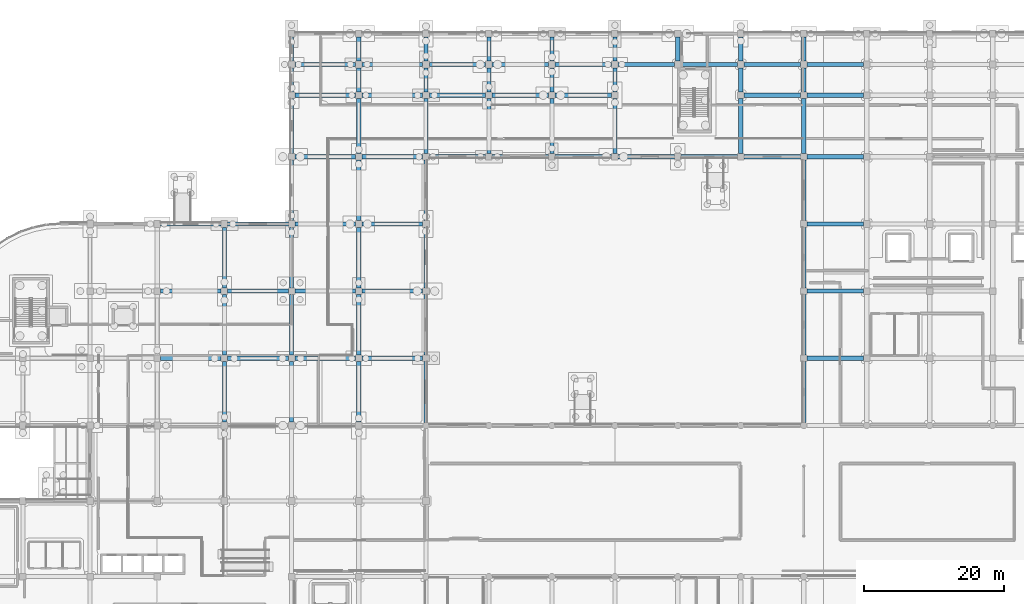
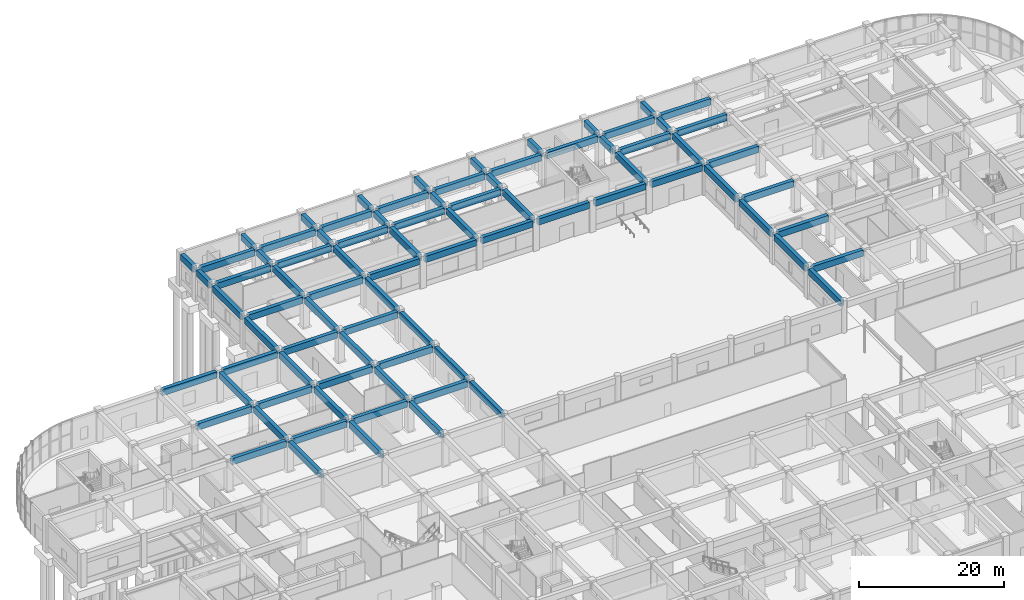
# One storey, part 15 of 74: 84 beams.
"""IFC4 building model written with IfcOpenShell, lengths in metres."""

from ifc_helpers import new_model, si_unit, direction, frame, origin, origin_2d, place, context, subcontext, project, spatial, rectangle, extrude, material, material_profile, profile_set, type_object, element, save


model = new_model("IFC4")

# Units and contexts
model_context = context("Model", 3, precision=1e-05, world=origin(), true_north=direction((0.0, 1.0)))
body_context = subcontext(model_context, "Body", "Model", "MODEL_VIEW")
ifc_project = project(units=[si_unit("LENGTHUNIT", "METRE"), si_unit("AREAUNIT", "SQUARE_METRE"), si_unit("VOLUMEUNIT", "CUBIC_METRE"), si_unit("PLANEANGLEUNIT", "RADIAN"), si_unit("MASSUNIT", "GRAM", prefix="KILO")], contexts=[model_context])

# Site, building, storey
site_placement = place(None, origin())
site = spatial("IfcSite", under=ifc_project, at=site_placement, CompositionType="ELEMENT")
building_placement = place(site_placement, origin())
building = spatial("IfcBuilding", under=site, at=building_placement, Name="Cendralis Terraced Arcade", CompositionType="ELEMENT")
storey_placement = place(building_placement, origin())
storey = spatial("IfcBuildingStorey", under=building, at=storey_placement, Name="L00", CompositionType="ELEMENT", Elevation=0.0)

# Beams
ifc_material = material(Name="Concrete f'c 35 MPa", Category="concrete")
ifc_material_profile = material_profile(ifc_material, rectangle(XDim=0.60009765625, YDim=1.050048828125, at=origin_2d()), Name="RC-BM-600x1050", Category="LoadBearing")
ifc_profile_set = profile_set([ifc_material_profile], Name="Concrete f'c 35 MPa")
beam_type = type_object("IfcBeamType", Name="BM-600x1050", PredefinedType="JOIST", material=ifc_profile_set)
beam_1_placement = place(storey_placement, frame((29.27490234375, 69.60009765625, 4.56494140625), z_axis=(1.0, 0.0, 0.0), x_axis=(0.0, 1.0, 0.0)))
element("IfcBeam", 1, at=beam_1_placement, inside=storey, type_object=beam_type, Name="Reinforced Concrete Frame Beam BM-X-L01-H-4_5", PredefinedType="JOIST", context=body_context, shape_type="SweptSolid", body=[
    extrude(rectangle(XDim=0.60009765625, YDim=1.050048828125, at=origin_2d()), origin(), (0.0, 0.0, 1.0), 8.650146484375),
])
for number, where, z_axis, x_axis, name in (
    (2, (38.875, 69.60009765625, 4.56494140625), (1.0, 0.0, 0.0), (0.0, 1.0, 0.0), "Reinforced Concrete Frame Beam BM-X-L01-H-5_6"),
    (3, (48.47509765625, 69.60009765625, 4.56494140625), (1.0, 0.0, 0.0), (0.0, 1.0, 0.0), "Reinforced Concrete Frame Beam BM-X-L01-H-6_7"),
):
    element("IfcBeam", number, at=place(storey_placement, frame(where, z_axis=z_axis, x_axis=x_axis)), inside=storey, type_object=beam_type, Name=name, PredefinedType="JOIST", context=body_context, shape_type="SweptSolid", body=[
        extrude(rectangle(XDim=0.60009765625, YDim=1.050048828125, at=origin_2d()), origin(), (0.0, 0.0, 1.0), 8.64990234375),
    ])
beam_2_placement = place(storey_placement, frame((58.074951171875, 69.60009765625, 4.56494140625), z_axis=(1.0, 0.0, 0.0), x_axis=(0.0, 1.0, 0.0)))
element("IfcBeam", 4, at=beam_2_placement, inside=storey, type_object=beam_type, Name="Reinforced Concrete Frame Beam BM-X-L01-H-7_8", PredefinedType="JOIST", context=body_context, shape_type="SweptSolid", body=[
    extrude(rectangle(XDim=0.60009765625, YDim=1.050048828125, at=origin_2d()), origin(), (0.0, 0.0, 1.0), 8.650146484375),
])
beam_3_placement = place(storey_placement, frame((121.675048828125, 69.60009765625, 4.56494140625), z_axis=(1.0, 0.0, 0.0), x_axis=(0.0, 1.0, 0.0)))
element("IfcBeam", 5, at=beam_3_placement, inside=storey, type_object=beam_type, Name="Reinforced Concrete Frame Beam BM-X-L01-H-14_15", PredefinedType="JOIST", context=body_context, shape_type="SweptSolid", body=[
    extrude(rectangle(XDim=0.60009765625, YDim=1.050048828125, at=origin_2d()), origin(), (0.0, 0.0, 1.0), 8.050048828125),
])
beam_4_placement = place(storey_placement, frame((29.27490234375, 79.199951171875, 4.56494140625), z_axis=(1.0, 0.0, 0.0), x_axis=(0.0, 1.0, 0.0)))
element("IfcBeam", 6, at=beam_4_placement, inside=storey, type_object=beam_type, Name="Reinforced Concrete Frame Beam BM-X-L01-J-4_5", PredefinedType="JOIST", context=body_context, shape_type="SweptSolid", body=[
    extrude(rectangle(XDim=0.60009765625, YDim=1.050048828125, at=origin_2d()), origin(), (0.0, 0.0, 1.0), 8.650146484375),
])
for number, where, z_axis, x_axis, name in (
    (7, (38.875, 79.199951171875, 4.56494140625), (1.0, 0.0, 0.0), (0.0, 1.0, 0.0), "Reinforced Concrete Frame Beam BM-X-L01-J-5_6"),
    (8, (48.47509765625, 79.199951171875, 4.56494140625), (1.0, 0.0, 0.0), (0.0, 1.0, 0.0), "Reinforced Concrete Frame Beam BM-X-L01-J-6_7"),
):
    element("IfcBeam", number, at=place(storey_placement, frame(where, z_axis=z_axis, x_axis=x_axis)), inside=storey, type_object=beam_type, Name=name, PredefinedType="JOIST", context=body_context, shape_type="SweptSolid", body=[
        extrude(rectangle(XDim=0.60009765625, YDim=1.050048828125, at=origin_2d()), origin(), (0.0, 0.0, 1.0), 8.64990234375),
    ])
beam_5_placement = place(storey_placement, frame((58.074951171875, 79.199951171875, 4.56494140625), z_axis=(1.0, 0.0, 0.0), x_axis=(0.0, 1.0, 0.0)))
element("IfcBeam", 9, at=beam_5_placement, inside=storey, type_object=beam_type, Name="Reinforced Concrete Frame Beam BM-X-L01-J-7_8", PredefinedType="JOIST", context=body_context, shape_type="SweptSolid", body=[
    extrude(rectangle(XDim=0.60009765625, YDim=1.050048828125, at=origin_2d()), origin(), (0.0, 0.0, 1.0), 8.650146484375),
])
beam_6_placement = place(storey_placement, frame((121.675048828125, 79.199951171875, 4.56494140625), z_axis=(1.0, 0.0, 0.0), x_axis=(0.0, 1.0, 0.0)))
element("IfcBeam", 10, at=beam_6_placement, inside=storey, type_object=beam_type, Name="Reinforced Concrete Frame Beam BM-X-L01-J-14_15", PredefinedType="JOIST", context=body_context, shape_type="SweptSolid", body=[
    extrude(rectangle(XDim=0.60009765625, YDim=1.050048828125, at=origin_2d()), origin(), (0.0, 0.0, 1.0), 8.050048828125),
])
beam_7_placement = place(storey_placement, frame((29.27490234375, 88.800048828125, 4.56494140625), z_axis=(1.0, 0.0, 0.0), x_axis=(0.0, 1.0, 0.0)))
element("IfcBeam", 11, at=beam_7_placement, inside=storey, type_object=beam_type, Name="Reinforced Concrete Frame Beam BM-X-L01-K-4_5", PredefinedType="JOIST", context=body_context, shape_type="SweptSolid", body=[
    extrude(rectangle(XDim=0.60009765625, YDim=1.050048828125, at=origin_2d()), origin(), (0.0, 0.0, 1.0), 8.650146484375),
])
for number, where, z_axis, x_axis, name in (
    (12, (38.875, 88.800048828125, 4.56494140625), (1.0, 0.0, 0.0), (0.0, 1.0, 0.0), "Reinforced Concrete Frame Beam BM-X-L01-K-5_6"),
    (13, (48.47509765625, 88.800048828125, 4.56494140625), (1.0, 0.0, 0.0), (0.0, 1.0, 0.0), "Reinforced Concrete Frame Beam BM-X-L01-K-6_7"),
):
    element("IfcBeam", number, at=place(storey_placement, frame(where, z_axis=z_axis, x_axis=x_axis)), inside=storey, type_object=beam_type, Name=name, PredefinedType="JOIST", context=body_context, shape_type="SweptSolid", body=[
        extrude(rectangle(XDim=0.60009765625, YDim=1.050048828125, at=origin_2d()), origin(), (0.0, 0.0, 1.0), 8.64990234375),
    ])
beam_8_placement = place(storey_placement, frame((58.074951171875, 88.800048828125, 4.56494140625), z_axis=(1.0, 0.0, 0.0), x_axis=(0.0, 1.0, 0.0)))
element("IfcBeam", 14, at=beam_8_placement, inside=storey, type_object=beam_type, Name="Reinforced Concrete Frame Beam BM-X-L01-K-7_8", PredefinedType="JOIST", context=body_context, shape_type="SweptSolid", body=[
    extrude(rectangle(XDim=0.60009765625, YDim=1.050048828125, at=origin_2d()), origin(), (0.0, 0.0, 1.0), 8.650146484375),
])
beam_9_placement = place(storey_placement, frame((121.675048828125, 88.800048828125, 4.56494140625), z_axis=(1.0, 0.0, 0.0), x_axis=(0.0, 1.0, 0.0)))
element("IfcBeam", 15, at=beam_9_placement, inside=storey, type_object=beam_type, Name="Reinforced Concrete Frame Beam BM-X-L01-K-14_15", PredefinedType="JOIST", context=body_context, shape_type="SweptSolid", body=[
    extrude(rectangle(XDim=0.60009765625, YDim=1.050048828125, at=origin_2d()), origin(), (0.0, 0.0, 1.0), 8.050048828125),
])
beam_10_placement = place(storey_placement, frame((48.47509765625, 98.39990234375, 4.56494140625), z_axis=(1.0, 0.0, 0.0), x_axis=(0.0, 1.0, 0.0)))
element("IfcBeam", 16, at=beam_10_placement, inside=storey, type_object=beam_type, Name="Reinforced Concrete Frame Beam BM-X-L01-L-6_7", PredefinedType="JOIST", context=body_context, shape_type="SweptSolid", body=[
    extrude(rectangle(XDim=0.60009765625, YDim=1.050048828125, at=origin_2d()), origin(), (0.0, 0.0, 1.0), 8.64990234375),
])
beam_11_placement = place(storey_placement, frame((58.074951171875, 98.39990234375, 4.56494140625), z_axis=(1.0, 0.0, 0.0), x_axis=(0.0, 1.0, 0.0)))
element("IfcBeam", 17, at=beam_11_placement, inside=storey, type_object=beam_type, Name="Reinforced Concrete Frame Beam BM-X-L01-L-7_8", PredefinedType="JOIST", context=body_context, shape_type="SweptSolid", body=[
    extrude(rectangle(XDim=0.60009765625, YDim=1.050048828125, at=origin_2d()), origin(), (0.0, 0.0, 1.0), 8.650146484375),
])
for number, where, z_axis, x_axis, name in (
    (18, (67.675048828125, 98.39990234375, 4.56494140625), (1.0, 0.0, 0.0), (0.0, 1.0, 0.0), "Reinforced Concrete Frame Beam BM-X-L01-L-8_9"),
    (19, (76.675048828125, 98.39990234375, 4.56494140625), (1.0, 0.0, 0.0), (0.0, 1.0, 0.0), "Reinforced Concrete Frame Beam BM-X-L01-L-9_10"),
    (20, (85.675048828125, 98.39990234375, 4.56494140625), (1.0, 0.0, 0.0), (0.0, 1.0, 0.0), "Reinforced Concrete Frame Beam BM-X-L01-L-10_11"),
    (21, (94.675048828125, 98.39990234375, 4.56494140625), (1.0, 0.0, 0.0), (0.0, 1.0, 0.0), "Reinforced Concrete Frame Beam BM-X-L01-L-11_12"),
    (22, (103.675048828125, 98.39990234375, 4.56494140625), (1.0, 0.0, 0.0), (0.0, 1.0, 0.0), "Reinforced Concrete Frame Beam BM-X-L01-L-12_13"),
    (23, (112.675048828125, 98.39990234375, 4.56494140625), (1.0, 0.0, 0.0), (0.0, 1.0, 0.0), "Reinforced Concrete Frame Beam BM-X-L01-L-13_14"),
    (24, (121.675048828125, 98.39990234375, 4.56494140625), (1.0, 0.0, 0.0), (0.0, 1.0, 0.0), "Reinforced Concrete Frame Beam BM-X-L01-L-14_15"),
):
    element("IfcBeam", number, at=place(storey_placement, frame(where, z_axis=z_axis, x_axis=x_axis)), inside=storey, type_object=beam_type, Name=name, PredefinedType="JOIST", context=body_context, shape_type="SweptSolid", body=[
        extrude(rectangle(XDim=0.60009765625, YDim=1.050048828125, at=origin_2d()), origin(), (0.0, 0.0, 1.0), 8.050048828125),
    ])
beam_12_placement = place(storey_placement, frame((48.47509765625, 107.199951171875, 4.56494140625), z_axis=(1.0, 0.0, 0.0), x_axis=(0.0, 1.0, 0.0)))
element("IfcBeam", 25, at=beam_12_placement, inside=storey, type_object=beam_type, Name="Reinforced Concrete Frame Beam BM-X-L01-M-6_7", PredefinedType="JOIST", context=body_context, shape_type="SweptSolid", body=[
    extrude(rectangle(XDim=0.60009765625, YDim=1.050048828125, at=origin_2d()), origin(), (0.0, 0.0, 1.0), 8.64990234375),
])
beam_13_placement = place(storey_placement, frame((58.074951171875, 107.199951171875, 4.56494140625), z_axis=(1.0, 0.0, 0.0), x_axis=(0.0, 1.0, 0.0)))
element("IfcBeam", 26, at=beam_13_placement, inside=storey, type_object=beam_type, Name="Reinforced Concrete Frame Beam BM-X-L01-M-7_8", PredefinedType="JOIST", context=body_context, shape_type="SweptSolid", body=[
    extrude(rectangle(XDim=0.60009765625, YDim=1.050048828125, at=origin_2d()), origin(), (0.0, 0.0, 1.0), 8.650146484375),
])
for number, where, z_axis, x_axis, name in (
    (27, (67.675048828125, 107.199951171875, 4.56494140625), (1.0, 0.0, 0.0), (0.0, 1.0, 0.0), "Reinforced Concrete Frame Beam BM-X-L01-M-8_9"),
    (28, (76.675048828125, 107.199951171875, 4.56494140625), (1.0, 0.0, 0.0), (0.0, 1.0, 0.0), "Reinforced Concrete Frame Beam BM-X-L01-M-9_10"),
    (29, (85.675048828125, 107.199951171875, 4.56494140625), (1.0, 0.0, 0.0), (0.0, 1.0, 0.0), "Reinforced Concrete Frame Beam BM-X-L01-M-10_11"),
    (30, (112.675048828125, 107.199951171875, 4.56494140625), (1.0, 0.0, 0.0), (0.0, 1.0, 0.0), "Reinforced Concrete Frame Beam BM-X-L01-M-13_14"),
    (31, (121.675048828125, 107.199951171875, 4.56494140625), (1.0, 0.0, 0.0), (0.0, 1.0, 0.0), "Reinforced Concrete Frame Beam BM-X-L01-M-14_15"),
):
    element("IfcBeam", number, at=place(storey_placement, frame(where, z_axis=z_axis, x_axis=x_axis)), inside=storey, type_object=beam_type, Name=name, PredefinedType="JOIST", context=body_context, shape_type="SweptSolid", body=[
        extrude(rectangle(XDim=0.60009765625, YDim=1.050048828125, at=origin_2d()), origin(), (0.0, 0.0, 1.0), 8.050048828125),
    ])
beam_14_placement = place(storey_placement, frame((48.47509765625, 111.60009765625, 4.56494140625), z_axis=(1.0, 0.0, 0.0), x_axis=(0.0, 1.0, 0.0)))
element("IfcBeam", 32, at=beam_14_placement, inside=storey, type_object=beam_type, Name="Reinforced Concrete Frame Beam BM-X-L01-N-6_7", PredefinedType="JOIST", context=body_context, shape_type="SweptSolid", body=[
    extrude(rectangle(XDim=0.60009765625, YDim=1.050048828125, at=origin_2d()), origin(), (0.0, 0.0, 1.0), 8.64990234375),
])
beam_15_placement = place(storey_placement, frame((58.074951171875, 111.60009765625, 4.56494140625), z_axis=(1.0, 0.0, 0.0), x_axis=(0.0, 1.0, 0.0)))
element("IfcBeam", 33, at=beam_15_placement, inside=storey, type_object=beam_type, Name="Reinforced Concrete Frame Beam BM-X-L01-N-7_8", PredefinedType="JOIST", context=body_context, shape_type="SweptSolid", body=[
    extrude(rectangle(XDim=0.60009765625, YDim=1.050048828125, at=origin_2d()), origin(), (0.0, 0.0, 1.0), 8.650146484375),
])
for number, where, z_axis, x_axis, name in (
    (34, (67.675048828125, 111.60009765625, 4.56494140625), (1.0, 0.0, 0.0), (0.0, 1.0, 0.0), "Reinforced Concrete Frame Beam BM-X-L01-N-8_9"),
    (35, (76.675048828125, 111.60009765625, 4.56494140625), (1.0, 0.0, 0.0), (0.0, 1.0, 0.0), "Reinforced Concrete Frame Beam BM-X-L01-N-9_10"),
    (36, (85.675048828125, 111.60009765625, 4.56494140625), (1.0, 0.0, 0.0), (0.0, 1.0, 0.0), "Reinforced Concrete Frame Beam BM-X-L01-N-10_11"),
    (37, (94.675048828125, 111.60009765625, 4.56494140625), (1.0, 0.0, 0.0), (0.0, 1.0, 0.0), "Reinforced Concrete Frame Beam BM-X-L01-N-11_12"),
    (38, (103.675048828125, 111.60009765625, 4.56494140625), (1.0, 0.0, 0.0), (0.0, 1.0, 0.0), "Reinforced Concrete Frame Beam BM-X-L01-N-12_13"),
    (39, (112.675048828125, 111.60009765625, 4.56494140625), (1.0, 0.0, 0.0), (0.0, 1.0, 0.0), "Reinforced Concrete Frame Beam BM-X-L01-N-13_14"),
    (40, (121.675048828125, 111.60009765625, 4.56494140625), (1.0, 0.0, 0.0), (0.0, 1.0, 0.0), "Reinforced Concrete Frame Beam BM-X-L01-N-14_15"),
):
    element("IfcBeam", number, at=place(storey_placement, frame(where, z_axis=z_axis, x_axis=x_axis)), inside=storey, type_object=beam_type, Name=name, PredefinedType="JOIST", context=body_context, shape_type="SweptSolid", body=[
        extrude(rectangle(XDim=0.60009765625, YDim=1.050048828125, at=origin_2d()), origin(), (0.0, 0.0, 1.0), 8.050048828125),
    ])
beam_16_placement = place(storey_placement, frame((38.39990234375, 60.47509765625, 4.56494140625), z_axis=(0.0, 1.0, 0.0), x_axis=(-1.0, 0.0, 0.0)))
element("IfcBeam", 41, at=beam_16_placement, inside=storey, type_object=beam_type, Name="Reinforced Concrete Frame Beam BM-Y-L01-5-G_H", PredefinedType="JOIST", context=body_context, shape_type="SweptSolid", body=[
    extrude(rectangle(XDim=0.60009765625, YDim=1.050048828125, at=origin_2d()), origin(), (0.0, 0.0, 1.0), 8.64990234375),
])
beam_17_placement = place(storey_placement, frame((38.39990234375, 70.074951171875, 4.56494140625), z_axis=(0.0, 1.0, 0.0), x_axis=(-1.0, 0.0, 0.0)))
element("IfcBeam", 42, at=beam_17_placement, inside=storey, type_object=beam_type, Name="Reinforced Concrete Frame Beam BM-Y-L01-5-H_J", PredefinedType="JOIST", context=body_context, shape_type="SweptSolid", body=[
    extrude(rectangle(XDim=0.60009765625, YDim=1.050048828125, at=origin_2d()), origin(), (0.0, 0.0, 1.0), 8.650146484375),
])
for number, where, z_axis, x_axis, name in (
    (43, (38.39990234375, 79.675048828125, 4.56494140625), (0.0, 1.0, 0.0), (-1.0, 0.0, 0.0), "Reinforced Concrete Frame Beam BM-Y-L01-5-J_K"),
    (44, (48.0, 60.47509765625, 4.56494140625), (0.0, 1.0, 0.0), (-1.0, 0.0, 0.0), "Reinforced Concrete Frame Beam BM-Y-L01-6-G_H"),
):
    element("IfcBeam", number, at=place(storey_placement, frame(where, z_axis=z_axis, x_axis=x_axis)), inside=storey, type_object=beam_type, Name=name, PredefinedType="JOIST", context=body_context, shape_type="SweptSolid", body=[
        extrude(rectangle(XDim=0.60009765625, YDim=1.050048828125, at=origin_2d()), origin(), (0.0, 0.0, 1.0), 8.64990234375),
    ])
beam_18_placement = place(storey_placement, frame((48.0, 70.074951171875, 4.56494140625), z_axis=(0.0, 1.0, 0.0), x_axis=(-1.0, 0.0, 0.0)))
element("IfcBeam", 45, at=beam_18_placement, inside=storey, type_object=beam_type, Name="Reinforced Concrete Frame Beam BM-Y-L01-6-H_J", PredefinedType="JOIST", context=body_context, shape_type="SweptSolid", body=[
    extrude(rectangle(XDim=0.60009765625, YDim=1.050048828125, at=origin_2d()), origin(), (0.0, 0.0, 1.0), 8.650146484375),
])
beam_19_placement = place(storey_placement, frame((48.0, 79.675048828125, 4.56494140625), z_axis=(0.0, 1.0, 0.0), x_axis=(-1.0, 0.0, 0.0)))
element("IfcBeam", 46, at=beam_19_placement, inside=storey, type_object=beam_type, Name="Reinforced Concrete Frame Beam BM-Y-L01-6-J_K", PredefinedType="JOIST", context=body_context, shape_type="SweptSolid", body=[
    extrude(rectangle(XDim=0.60009765625, YDim=1.050048828125, at=origin_2d()), origin(), (0.0, 0.0, 1.0), 8.64990234375),
])
beam_20_placement = place(storey_placement, frame((48.0, 89.27490234375, 4.56494140625), z_axis=(0.0, 1.0, 0.0), x_axis=(-1.0, 0.0, 0.0)))
element("IfcBeam", 47, at=beam_20_placement, inside=storey, type_object=beam_type, Name="Reinforced Concrete Frame Beam BM-Y-L01-6-K_L", PredefinedType="JOIST", context=body_context, shape_type="SweptSolid", body=[
    extrude(rectangle(XDim=0.60009765625, YDim=1.050048828125, at=origin_2d()), origin(), (0.0, 0.0, 1.0), 8.650146484375),
])
beam_21_placement = place(storey_placement, frame((48.0, 98.875, 4.56494140625), z_axis=(0.0, 1.0, 0.0), x_axis=(-1.0, 0.0, 0.0)))
element("IfcBeam", 48, at=beam_21_placement, inside=storey, type_object=beam_type, Name="Reinforced Concrete Frame Beam BM-Y-L01-6-L_M", PredefinedType="JOIST", context=body_context, shape_type="SweptSolid", body=[
    extrude(rectangle(XDim=0.60009765625, YDim=1.050048828125, at=origin_2d()), origin(), (0.0, 0.0, 1.0), 7.85009765625),
])
for number, where, z_axis, x_axis, name in (
    (49, (48.0, 107.675048828125, 4.56494140625), (0.0, 1.0, 0.0), (-1.0, 0.0, 0.0), "Reinforced Concrete Frame Beam BM-Y-L01-6-M_N"),
    (50, (48.0, 112.074951171875, 4.56494140625), (0.0, 1.0, 0.0), (-1.0, 0.0, 0.0), "Reinforced Concrete Frame Beam BM-Y-L01-6-N_P"),
):
    element("IfcBeam", number, at=place(storey_placement, frame(where, z_axis=z_axis, x_axis=x_axis)), inside=storey, type_object=beam_type, Name=name, PredefinedType="JOIST", context=body_context, shape_type="SweptSolid", body=[
        extrude(rectangle(XDim=0.60009765625, YDim=1.050048828125, at=origin_2d()), origin(), (0.0, 0.0, 1.0), 3.449951171875),
    ])
beam_22_placement = place(storey_placement, frame((57.60009765625, 60.47509765625, 4.56494140625), z_axis=(0.0, 1.0, 0.0), x_axis=(-1.0, 0.0, 0.0)))
element("IfcBeam", 51, at=beam_22_placement, inside=storey, type_object=beam_type, Name="Reinforced Concrete Frame Beam BM-Y-L01-7-G_H", PredefinedType="JOIST", context=body_context, shape_type="SweptSolid", body=[
    extrude(rectangle(XDim=0.60009765625, YDim=1.050048828125, at=origin_2d()), origin(), (0.0, 0.0, 1.0), 8.64990234375),
])
beam_23_placement = place(storey_placement, frame((57.60009765625, 70.074951171875, 4.56494140625), z_axis=(0.0, 1.0, 0.0), x_axis=(-1.0, 0.0, 0.0)))
element("IfcBeam", 52, at=beam_23_placement, inside=storey, type_object=beam_type, Name="Reinforced Concrete Frame Beam BM-Y-L01-7-H_J", PredefinedType="JOIST", context=body_context, shape_type="SweptSolid", body=[
    extrude(rectangle(XDim=0.60009765625, YDim=1.050048828125, at=origin_2d()), origin(), (0.0, 0.0, 1.0), 8.650146484375),
])
beam_24_placement = place(storey_placement, frame((57.60009765625, 79.675048828125, 4.56494140625), z_axis=(0.0, 1.0, 0.0), x_axis=(-1.0, 0.0, 0.0)))
element("IfcBeam", 53, at=beam_24_placement, inside=storey, type_object=beam_type, Name="Reinforced Concrete Frame Beam BM-Y-L01-7-J_K", PredefinedType="JOIST", context=body_context, shape_type="SweptSolid", body=[
    extrude(rectangle(XDim=0.60009765625, YDim=1.050048828125, at=origin_2d()), origin(), (0.0, 0.0, 1.0), 8.64990234375),
])
beam_25_placement = place(storey_placement, frame((57.60009765625, 89.27490234375, 4.56494140625), z_axis=(0.0, 1.0, 0.0), x_axis=(-1.0, 0.0, 0.0)))
element("IfcBeam", 54, at=beam_25_placement, inside=storey, type_object=beam_type, Name="Reinforced Concrete Frame Beam BM-Y-L01-7-K_L", PredefinedType="JOIST", context=body_context, shape_type="SweptSolid", body=[
    extrude(rectangle(XDim=0.60009765625, YDim=1.050048828125, at=origin_2d()), origin(), (0.0, 0.0, 1.0), 8.650146484375),
])
beam_26_placement = place(storey_placement, frame((57.60009765625, 98.875, 4.56494140625), z_axis=(0.0, 1.0, 0.0), x_axis=(-1.0, 0.0, 0.0)))
element("IfcBeam", 55, at=beam_26_placement, inside=storey, type_object=beam_type, Name="Reinforced Concrete Frame Beam BM-Y-L01-7-L_M", PredefinedType="JOIST", context=body_context, shape_type="SweptSolid", body=[
    extrude(rectangle(XDim=0.60009765625, YDim=1.050048828125, at=origin_2d()), origin(), (0.0, 0.0, 1.0), 7.85009765625),
])
for number, where, z_axis, x_axis, name in (
    (56, (57.60009765625, 107.675048828125, 4.56494140625), (0.0, 1.0, 0.0), (-1.0, 0.0, 0.0), "Reinforced Concrete Frame Beam BM-Y-L01-7-M_N"),
    (57, (57.60009765625, 112.074951171875, 4.56494140625), (0.0, 1.0, 0.0), (-1.0, 0.0, 0.0), "Reinforced Concrete Frame Beam BM-Y-L01-7-N_P"),
):
    element("IfcBeam", number, at=place(storey_placement, frame(where, z_axis=z_axis, x_axis=x_axis)), inside=storey, type_object=beam_type, Name=name, PredefinedType="JOIST", context=body_context, shape_type="SweptSolid", body=[
        extrude(rectangle(XDim=0.60009765625, YDim=1.050048828125, at=origin_2d()), origin(), (0.0, 0.0, 1.0), 3.449951171875),
    ])
beam_27_placement = place(storey_placement, frame((67.199951171875, 60.449951171875, 4.56494140625), z_axis=(0.0, 1.0, 0.0), x_axis=(-1.0, 0.0, 0.0)))
element("IfcBeam", 58, at=beam_27_placement, inside=storey, type_object=beam_type, Name="Reinforced Concrete Frame Beam BM-Y-L01-8-G_H", PredefinedType="JOIST", context=body_context, shape_type="SweptSolid", body=[
    extrude(rectangle(XDim=0.60009765625, YDim=1.050048828125, at=origin_2d()), origin(), (0.0, 0.0, 1.0), 8.675048828125),
])
beam_28_placement = place(storey_placement, frame((67.199951171875, 70.074951171875, 4.56494140625), z_axis=(0.0, 1.0, 0.0), x_axis=(-1.0, 0.0, 0.0)))
element("IfcBeam", 59, at=beam_28_placement, inside=storey, type_object=beam_type, Name="Reinforced Concrete Frame Beam BM-Y-L01-8-H_J", PredefinedType="JOIST", context=body_context, shape_type="SweptSolid", body=[
    extrude(rectangle(XDim=0.60009765625, YDim=1.050048828125, at=origin_2d()), origin(), (0.0, 0.0, 1.0), 8.650146484375),
])
beam_29_placement = place(storey_placement, frame((67.199951171875, 79.675048828125, 4.56494140625), z_axis=(0.0, 1.0, 0.0), x_axis=(-1.0, 0.0, 0.0)))
element("IfcBeam", 60, at=beam_29_placement, inside=storey, type_object=beam_type, Name="Reinforced Concrete Frame Beam BM-Y-L01-8-J_K", PredefinedType="JOIST", context=body_context, shape_type="SweptSolid", body=[
    extrude(rectangle(XDim=0.60009765625, YDim=1.050048828125, at=origin_2d()), origin(), (0.0, 0.0, 1.0), 8.64990234375),
])
beam_30_placement = place(storey_placement, frame((67.199951171875, 89.27490234375, 4.56494140625), z_axis=(0.0, 1.0, 0.0), x_axis=(-1.0, 0.0, 0.0)))
element("IfcBeam", 61, at=beam_30_placement, inside=storey, type_object=beam_type, Name="Reinforced Concrete Frame Beam BM-Y-L01-8-K_L", PredefinedType="JOIST", context=body_context, shape_type="SweptSolid", body=[
    extrude(rectangle(XDim=0.60009765625, YDim=1.050048828125, at=origin_2d()), origin(), (0.0, 0.0, 1.0), 8.650146484375),
])
beam_31_placement = place(storey_placement, frame((67.199951171875, 98.875, 4.56494140625), z_axis=(0.0, 1.0, 0.0), x_axis=(-1.0, 0.0, 0.0)))
element("IfcBeam", 62, at=beam_31_placement, inside=storey, type_object=beam_type, Name="Reinforced Concrete Frame Beam BM-Y-L01-8-L_M", PredefinedType="JOIST", context=body_context, shape_type="SweptSolid", body=[
    extrude(rectangle(XDim=0.60009765625, YDim=1.050048828125, at=origin_2d()), origin(), (0.0, 0.0, 1.0), 7.85009765625),
])
for number, where, z_axis, x_axis, name in (
    (63, (67.199951171875, 107.675048828125, 4.56494140625), (0.0, 1.0, 0.0), (-1.0, 0.0, 0.0), "Reinforced Concrete Frame Beam BM-Y-L01-8-M_N"),
    (64, (67.199951171875, 112.074951171875, 4.56494140625), (0.0, 1.0, 0.0), (-1.0, 0.0, 0.0), "Reinforced Concrete Frame Beam BM-Y-L01-8-N_P"),
):
    element("IfcBeam", number, at=place(storey_placement, frame(where, z_axis=z_axis, x_axis=x_axis)), inside=storey, type_object=beam_type, Name=name, PredefinedType="JOIST", context=body_context, shape_type="SweptSolid", body=[
        extrude(rectangle(XDim=0.60009765625, YDim=1.050048828125, at=origin_2d()), origin(), (0.0, 0.0, 1.0), 3.449951171875),
    ])
beam_32_placement = place(storey_placement, frame((76.199951171875, 98.875, 4.56494140625), z_axis=(0.0, 1.0, 0.0), x_axis=(-1.0, 0.0, 0.0)))
element("IfcBeam", 65, at=beam_32_placement, inside=storey, type_object=beam_type, Name="Reinforced Concrete Frame Beam BM-Y-L01-9-L_M", PredefinedType="JOIST", context=body_context, shape_type="SweptSolid", body=[
    extrude(rectangle(XDim=0.60009765625, YDim=1.050048828125, at=origin_2d()), origin(), (0.0, 0.0, 1.0), 7.85009765625),
])
for number, where, z_axis, x_axis, name in (
    (66, (76.199951171875, 107.675048828125, 4.56494140625), (0.0, 1.0, 0.0), (-1.0, 0.0, 0.0), "Reinforced Concrete Frame Beam BM-Y-L01-9-M_N"),
    (67, (76.199951171875, 112.074951171875, 4.56494140625), (0.0, 1.0, 0.0), (-1.0, 0.0, 0.0), "Reinforced Concrete Frame Beam BM-Y-L01-9-N_P"),
):
    element("IfcBeam", number, at=place(storey_placement, frame(where, z_axis=z_axis, x_axis=x_axis)), inside=storey, type_object=beam_type, Name=name, PredefinedType="JOIST", context=body_context, shape_type="SweptSolid", body=[
        extrude(rectangle(XDim=0.60009765625, YDim=1.050048828125, at=origin_2d()), origin(), (0.0, 0.0, 1.0), 3.449951171875),
    ])
beam_33_placement = place(storey_placement, frame((85.199951171875, 98.875, 4.56494140625), z_axis=(0.0, 1.0, 0.0), x_axis=(-1.0, 0.0, 0.0)))
element("IfcBeam", 68, at=beam_33_placement, inside=storey, type_object=beam_type, Name="Reinforced Concrete Frame Beam BM-Y-L01-10-L_M", PredefinedType="JOIST", context=body_context, shape_type="SweptSolid", body=[
    extrude(rectangle(XDim=0.60009765625, YDim=1.050048828125, at=origin_2d()), origin(), (0.0, 0.0, 1.0), 7.85009765625),
])
for number, where, z_axis, x_axis, name in (
    (69, (85.199951171875, 107.675048828125, 4.56494140625), (0.0, 1.0, 0.0), (-1.0, 0.0, 0.0), "Reinforced Concrete Frame Beam BM-Y-L01-10-M_N"),
    (70, (85.199951171875, 112.074951171875, 4.56494140625), (0.0, 1.0, 0.0), (-1.0, 0.0, 0.0), "Reinforced Concrete Frame Beam BM-Y-L01-10-N_P"),
):
    element("IfcBeam", number, at=place(storey_placement, frame(where, z_axis=z_axis, x_axis=x_axis)), inside=storey, type_object=beam_type, Name=name, PredefinedType="JOIST", context=body_context, shape_type="SweptSolid", body=[
        extrude(rectangle(XDim=0.60009765625, YDim=1.050048828125, at=origin_2d()), origin(), (0.0, 0.0, 1.0), 3.449951171875),
    ])
beam_34_placement = place(storey_placement, frame((94.199951171875, 98.875, 4.56494140625), z_axis=(0.0, 1.0, 0.0), x_axis=(-1.0, 0.0, 0.0)))
element("IfcBeam", 71, at=beam_34_placement, inside=storey, type_object=beam_type, Name="Reinforced Concrete Frame Beam BM-Y-L01-11-L_M", PredefinedType="JOIST", context=body_context, shape_type="SweptSolid", body=[
    extrude(rectangle(XDim=0.60009765625, YDim=1.050048828125, at=origin_2d()), origin(), (0.0, 0.0, 1.0), 7.85009765625),
])
for number, where, z_axis, x_axis, name in (
    (72, (94.199951171875, 107.675048828125, 4.56494140625), (0.0, 1.0, 0.0), (-1.0, 0.0, 0.0), "Reinforced Concrete Frame Beam BM-Y-L01-11-M_N"),
    (73, (94.199951171875, 112.074951171875, 4.56494140625), (0.0, 1.0, 0.0), (-1.0, 0.0, 0.0), "Reinforced Concrete Frame Beam BM-Y-L01-11-N_P"),
    (74, (103.199951171875, 112.074951171875, 4.56494140625), (0.0, 1.0, 0.0), (-1.0, 0.0, 0.0), "Reinforced Concrete Frame Beam BM-Y-L01-12-N_P"),
):
    element("IfcBeam", number, at=place(storey_placement, frame(where, z_axis=z_axis, x_axis=x_axis)), inside=storey, type_object=beam_type, Name=name, PredefinedType="JOIST", context=body_context, shape_type="SweptSolid", body=[
        extrude(rectangle(XDim=0.60009765625, YDim=1.050048828125, at=origin_2d()), origin(), (0.0, 0.0, 1.0), 3.449951171875),
    ])
beam_35_placement = place(storey_placement, frame((112.199951171875, 98.875, 4.56494140625), z_axis=(0.0, 1.0, 0.0), x_axis=(-1.0, 0.0, 0.0)))
element("IfcBeam", 75, at=beam_35_placement, inside=storey, type_object=beam_type, Name="Reinforced Concrete Frame Beam BM-Y-L01-13-L_M", PredefinedType="JOIST", context=body_context, shape_type="SweptSolid", body=[
    extrude(rectangle(XDim=0.60009765625, YDim=1.050048828125, at=origin_2d()), origin(), (0.0, 0.0, 1.0), 7.85009765625),
])
for number, where, z_axis, x_axis, name in (
    (76, (112.199951171875, 107.675048828125, 4.56494140625), (0.0, 1.0, 0.0), (-1.0, 0.0, 0.0), "Reinforced Concrete Frame Beam BM-Y-L01-13-M_N"),
    (77, (112.199951171875, 112.074951171875, 4.56494140625), (0.0, 1.0, 0.0), (-1.0, 0.0, 0.0), "Reinforced Concrete Frame Beam BM-Y-L01-13-N_P"),
):
    element("IfcBeam", number, at=place(storey_placement, frame(where, z_axis=z_axis, x_axis=x_axis)), inside=storey, type_object=beam_type, Name=name, PredefinedType="JOIST", context=body_context, shape_type="SweptSolid", body=[
        extrude(rectangle(XDim=0.60009765625, YDim=1.050048828125, at=origin_2d()), origin(), (0.0, 0.0, 1.0), 3.449951171875),
    ])
beam_36_placement = place(storey_placement, frame((121.199951171875, 60.449951171875, 4.56494140625), z_axis=(0.0, 1.0, 0.0), x_axis=(-1.0, 0.0, 0.0)))
element("IfcBeam", 78, at=beam_36_placement, inside=storey, type_object=beam_type, Name="Reinforced Concrete Frame Beam BM-Y-L01-14-G_H", PredefinedType="JOIST", context=body_context, shape_type="SweptSolid", body=[
    extrude(rectangle(XDim=0.60009765625, YDim=1.050048828125, at=origin_2d()), origin(), (0.0, 0.0, 1.0), 8.675048828125),
])
beam_37_placement = place(storey_placement, frame((121.199951171875, 70.074951171875, 4.56494140625), z_axis=(0.0, 1.0, 0.0), x_axis=(-1.0, 0.0, 0.0)))
element("IfcBeam", 79, at=beam_37_placement, inside=storey, type_object=beam_type, Name="Reinforced Concrete Frame Beam BM-Y-L01-14-H_J", PredefinedType="JOIST", context=body_context, shape_type="SweptSolid", body=[
    extrude(rectangle(XDim=0.60009765625, YDim=1.050048828125, at=origin_2d()), origin(), (0.0, 0.0, 1.0), 8.650146484375),
])
beam_38_placement = place(storey_placement, frame((121.199951171875, 79.675048828125, 4.56494140625), z_axis=(0.0, 1.0, 0.0), x_axis=(-1.0, 0.0, 0.0)))
element("IfcBeam", 80, at=beam_38_placement, inside=storey, type_object=beam_type, Name="Reinforced Concrete Frame Beam BM-Y-L01-14-J_K", PredefinedType="JOIST", context=body_context, shape_type="SweptSolid", body=[
    extrude(rectangle(XDim=0.60009765625, YDim=1.050048828125, at=origin_2d()), origin(), (0.0, 0.0, 1.0), 8.64990234375),
])
beam_39_placement = place(storey_placement, frame((121.199951171875, 89.27490234375, 4.56494140625), z_axis=(0.0, 1.0, 0.0), x_axis=(-1.0, 0.0, 0.0)))
element("IfcBeam", 81, at=beam_39_placement, inside=storey, type_object=beam_type, Name="Reinforced Concrete Frame Beam BM-Y-L01-14-K_L", PredefinedType="JOIST", context=body_context, shape_type="SweptSolid", body=[
    extrude(rectangle(XDim=0.60009765625, YDim=1.050048828125, at=origin_2d()), origin(), (0.0, 0.0, 1.0), 8.650146484375),
])
beam_40_placement = place(storey_placement, frame((121.199951171875, 98.875, 4.56494140625), z_axis=(0.0, 1.0, 0.0), x_axis=(-1.0, 0.0, 0.0)))
element("IfcBeam", 82, at=beam_40_placement, inside=storey, type_object=beam_type, Name="Reinforced Concrete Frame Beam BM-Y-L01-14-L_M", PredefinedType="JOIST", context=body_context, shape_type="SweptSolid", body=[
    extrude(rectangle(XDim=0.60009765625, YDim=1.050048828125, at=origin_2d()), origin(), (0.0, 0.0, 1.0), 7.85009765625),
])
for number, where, z_axis, x_axis, name in (
    (83, (121.199951171875, 107.675048828125, 4.56494140625), (0.0, 1.0, 0.0), (-1.0, 0.0, 0.0), "Reinforced Concrete Frame Beam BM-Y-L01-14-M_N"),
    (84, (121.199951171875, 112.074951171875, 4.56494140625), (0.0, 1.0, 0.0), (-1.0, 0.0, 0.0), "Reinforced Concrete Frame Beam BM-Y-L01-14-N_P"),
):
    element("IfcBeam", number, at=place(storey_placement, frame(where, z_axis=z_axis, x_axis=x_axis)), inside=storey, type_object=beam_type, Name=name, PredefinedType="JOIST", context=body_context, shape_type="SweptSolid", body=[
        extrude(rectangle(XDim=0.60009765625, YDim=1.050048828125, at=origin_2d()), origin(), (0.0, 0.0, 1.0), 3.449951171875),
    ])

save(model, "model.ifc")
